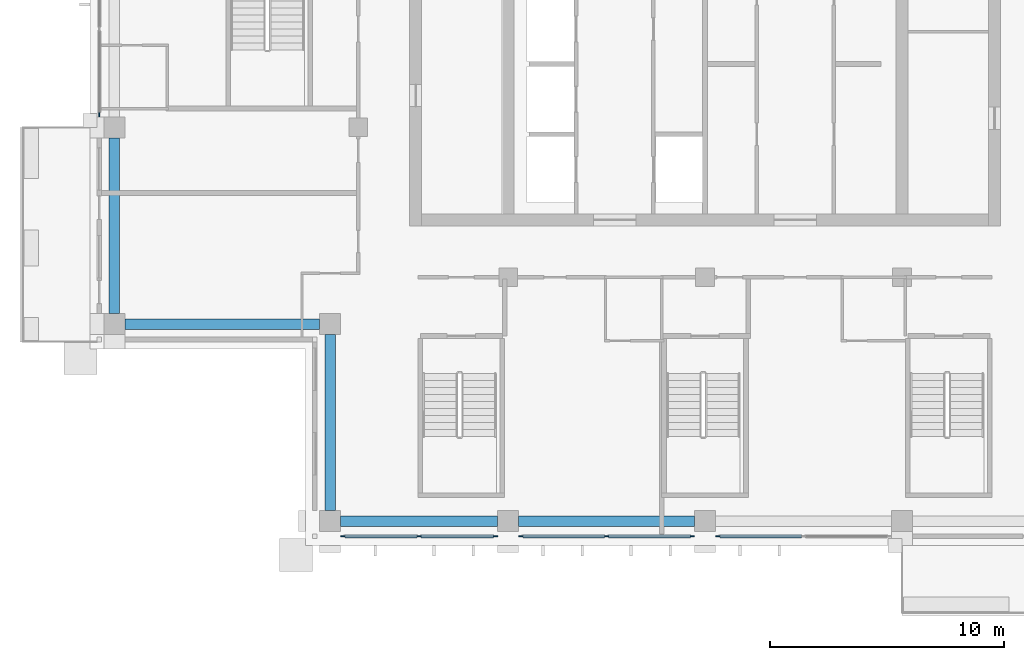
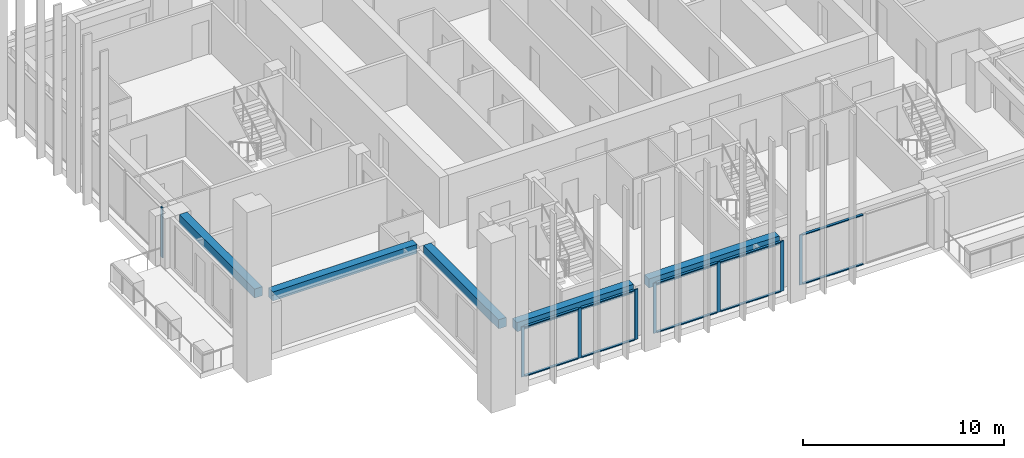
# One storey, part 2 of 20: 18 members, 5 beams, 4 elements without a shape of their own.
"""IFC4 building model written with IfcOpenShell, lengths in metres."""

from ifc_helpers import new_model, si_unit, direction, frame, origin, origin_2d, place, context, subcontext, project, spatial, rectangle, extrude, material, material_profile, profile_set, type_object, element, aggregate, save


model = new_model("IFC4")

# Units and contexts
model_context = context("Model", 3, precision=1e-05, world=origin(), true_north=direction((0.0, 1.0)))
body_context = subcontext(model_context, "Body", "Model", "MODEL_VIEW")
ifc_project = project(units=[si_unit("LENGTHUNIT", "METRE"), si_unit("AREAUNIT", "SQUARE_METRE"), si_unit("VOLUMEUNIT", "CUBIC_METRE"), si_unit("PLANEANGLEUNIT", "RADIAN"), si_unit("MASSUNIT", "GRAM", prefix="KILO")], contexts=[model_context])

# Site, building, storey
site_placement = place(None, origin())
site = spatial("IfcSite", under=ifc_project, at=site_placement, CompositionType="ELEMENT")
building_placement = place(site_placement, origin())
building = spatial("IfcBuilding", under=site, at=building_placement, Name="Vermilion Ogive Tower", CompositionType="ELEMENT")
storey_placement = place(building_placement, frame((0.0, 0.0, 223.449951171875)))
storey = spatial("IfcBuildingStorey", under=building, at=storey_placement, Name="L58", CompositionType="ELEMENT", Elevation=223.449951171875)

# Curtain wall, members
ifc_material_1 = material(Name="Low-iron laminated glazing in aluminium frame", Category="aluminium")
curtain_wall_type = type_object("IfcCurtainWallType", Name="Curtain wall CW7", PredefinedType="NOTDEFINED", material=ifc_material_1)
curtain_wall_1_placement = place(storey_placement, origin())
curtain_wall_1 = element("IfcCurtainWall", 1, at=curtain_wall_1_placement, inside=storey, type_object=curtain_wall_type, Name="Glazed skin S1", PredefinedType="NOTDEFINED")
ifc_material_2 = material(Name="Aluminium mullion", Category="aluminium")
ifc_material_profile_1 = material_profile(ifc_material_2, rectangle(XDim=0.06005859375, YDim=0.179931640625, at=origin_2d()), Name="AL 60x180")
ifc_profile_set_1 = profile_set([ifc_material_profile_1], Name="Aluminium mullion")
member_type_1 = type_object("IfcMemberType", Name="CW7 mullion 60x180", PredefinedType="MULLION", material=ifc_profile_set_1)
member_1_placement = place(storey_placement, frame((-15.4599609375, -21.64990234375, 0.0), z_axis=(0.0, 0.0, 1.0), x_axis=(0.0, 1.0, 0.0)))
member_1 = element("IfcMember", 2, at=member_1_placement, type_object=member_type_1, Name="CW7-S1 mullion 1", PredefinedType="MULLION", context=body_context, shape_type="SweptSolid", body=[
    extrude(rectangle(XDim=0.06005859375, YDim=0.179931640625, at=origin_2d()), origin(), (0.0, 0.0, 1.0), 3.050048828125),
])
member_2_placement = place(storey_placement, frame((-12.199951171875, -21.64990234375, 0.0), z_axis=(0.0, 0.0, 1.0), x_axis=(0.0, 1.0, 0.0)))
member_2 = element("IfcMember", 3, at=member_2_placement, type_object=member_type_1, Name="CW7-S1 mullion 2", PredefinedType="MULLION", context=body_context, shape_type="SweptSolid", body=[
    extrude(rectangle(XDim=0.06005859375, YDim=0.179931640625, at=origin_2d()), origin(), (0.0, 0.0, 1.0), 3.050048828125),
])
member_3_placement = place(storey_placement, frame((-8.93994140625, -21.64990234375, 0.0), z_axis=(0.0, 0.0, 1.0), x_axis=(0.0, 1.0, 0.0)))
member_3 = element("IfcMember", 4, at=member_3_placement, type_object=member_type_1, Name="CW7-S1 mullion 3", PredefinedType="MULLION", context=body_context, shape_type="SweptSolid", body=[
    extrude(rectangle(XDim=0.06005859375, YDim=0.179931640625, at=origin_2d()), origin(), (0.0, 0.0, 1.0), 3.050048828125),
])

curtain_wall_2_placement = place(storey_placement, origin())
curtain_wall_2 = element("IfcCurtainWall", 5, at=curtain_wall_2_placement, inside=storey, type_object=curtain_wall_type, Name="Glazed skin S2", PredefinedType="NOTDEFINED")
member_4_placement = place(storey_placement, frame((-7.860107421875, -21.64990234375, 0.0), z_axis=(0.0, 0.0, 1.0), x_axis=(0.0, 1.0, 0.0)))
member_4 = element("IfcMember", 6, at=member_4_placement, type_object=member_type_1, Name="CW7-S2 mullion 1", PredefinedType="MULLION", context=body_context, shape_type="SweptSolid", body=[
    extrude(rectangle(XDim=0.06005859375, YDim=0.179931640625, at=origin_2d()), origin(), (0.0, 0.0, 1.0), 3.050048828125),
])
member_5_placement = place(storey_placement, frame((-4.199951171875, -21.64990234375, 0.0), z_axis=(0.0, 0.0, 1.0), x_axis=(0.0, 1.0, 0.0)))
member_5 = element("IfcMember", 7, at=member_5_placement, type_object=member_type_1, Name="CW7-S2 mullion 2", PredefinedType="MULLION", context=body_context, shape_type="SweptSolid", body=[
    extrude(rectangle(XDim=0.06005859375, YDim=0.179931640625, at=origin_2d()), origin(), (0.0, 0.0, 1.0), 3.050048828125),
])
member_6_placement = place(storey_placement, frame((-0.5400390625, -21.64990234375, 0.0), z_axis=(0.0, 0.0, 1.0), x_axis=(0.0, 1.0, 0.0)))
member_6 = element("IfcMember", 8, at=member_6_placement, type_object=member_type_1, Name="CW7-S2 mullion 3", PredefinedType="MULLION", context=body_context, shape_type="SweptSolid", body=[
    extrude(rectangle(XDim=0.06005859375, YDim=0.179931640625, at=origin_2d()), origin(), (0.0, 0.0, 1.0), 3.050048828125),
])

# Curtain wall, member
curtain_wall_3_placement = place(storey_placement, origin())
curtain_wall_3 = element("IfcCurtainWall", 9, at=curtain_wall_3_placement, inside=storey, type_object=curtain_wall_type, Name="Glazed skin S3", PredefinedType="NOTDEFINED")
member_7_placement = place(storey_placement, frame((0.5400390625, -21.64990234375, 0.0), z_axis=(0.0, 0.0, 1.0), x_axis=(0.0, 1.0, 0.0)))
member_7 = element("IfcMember", 10, at=member_7_placement, type_object=member_type_1, Name="CW7-S3 mullion 1", PredefinedType="MULLION", context=body_context, shape_type="SweptSolid", body=[
    extrude(rectangle(XDim=0.06005859375, YDim=0.179931640625, at=origin_2d()), origin(), (0.0, 0.0, 1.0), 3.050048828125),
])

curtain_wall_4_placement = place(storey_placement, origin())
curtain_wall_4 = element("IfcCurtainWall", 11, at=curtain_wall_4_placement, inside=storey, type_object=curtain_wall_type, Name="Glazed skin W2", PredefinedType="NOTDEFINED")
member_8_placement = place(storey_placement, frame((-25.85009765625, -3.659912109375, 0.0), z_axis=(0.0, 0.0, 1.0), x_axis=(1.0, 0.0, 0.0)))
member_8 = element("IfcMember", 12, at=member_8_placement, type_object=member_type_1, Name="CW7-W2 mullion 3", PredefinedType="MULLION", context=body_context, shape_type="SweptSolid", body=[
    extrude(rectangle(XDim=0.06005859375, YDim=0.179931640625, at=origin_2d()), origin(), (0.0, 0.0, 1.0), 3.050048828125),
])
aggregate(curtain_wall_4, [member_8])

# Member
ifc_material_3 = material(Name="Aluminium transom", Category="aluminium")
ifc_material_profile_2 = material_profile(ifc_material_3, rectangle(XDim=0.139892578125, YDim=0.06005859375, at=origin_2d()), Name="AL 60x140")
ifc_profile_set_2 = profile_set([ifc_material_profile_2], Name="Aluminium transom")
member_type_2 = type_object("IfcMemberType", Name="CW7 transom 60x140", PredefinedType="USERDEFINED", material=ifc_profile_set_2)
member_9_placement = place(storey_placement, frame((-15.3701171875, -21.64990234375, 0.030029296875), z_axis=(1.0, 0.0, 0.0), x_axis=(0.0, 1.0, 0.0)))
member_9 = element("IfcMember", 13, at=member_9_placement, type_object=member_type_2, Name="CW7-S1 transom 1.1", ObjectType="TRANSOM", PredefinedType="USERDEFINED", context=body_context, shape_type="SweptSolid", body=[
    extrude(rectangle(XDim=0.139892578125, YDim=0.06005859375, at=origin_2d()), origin(), (0.0, 0.0, 1.0), 3.080078125),
])

member_10_placement = place(storey_placement, frame((-15.3701171875, -21.64990234375, 3.02001953125), z_axis=(1.0, 0.0, 0.0), x_axis=(0.0, 1.0, 0.0)))
member_10 = element("IfcMember", 14, at=member_10_placement, type_object=member_type_2, Name="CW7-S1 transom 1.2", ObjectType="TRANSOM", PredefinedType="USERDEFINED", context=body_context, shape_type="SweptSolid", body=[
    extrude(rectangle(XDim=0.139892578125, YDim=0.06005859375, at=origin_2d()), origin(), (0.0, 0.0, 1.0), 3.080078125),
])

member_11_placement = place(storey_placement, frame((-12.110107421875, -21.64990234375, 0.030029296875), z_axis=(1.0, 0.0, 0.0), x_axis=(0.0, 1.0, 0.0)))
member_11 = element("IfcMember", 15, at=member_11_placement, type_object=member_type_2, Name="CW7-S1 transom 2.1", ObjectType="TRANSOM", PredefinedType="USERDEFINED", context=body_context, shape_type="SweptSolid", body=[
    extrude(rectangle(XDim=0.139892578125, YDim=0.06005859375, at=origin_2d()), origin(), (0.0, 0.0, 1.0), 3.080078125),
])

member_12_placement = place(storey_placement, frame((-12.110107421875, -21.64990234375, 3.02001953125), z_axis=(1.0, 0.0, 0.0), x_axis=(0.0, 1.0, 0.0)))
member_12 = element("IfcMember", 16, at=member_12_placement, type_object=member_type_2, Name="CW7-S1 transom 2.2", ObjectType="TRANSOM", PredefinedType="USERDEFINED", context=body_context, shape_type="SweptSolid", body=[
    extrude(rectangle(XDim=0.139892578125, YDim=0.06005859375, at=origin_2d()), origin(), (0.0, 0.0, 1.0), 3.080078125),
])

aggregate(curtain_wall_1, [member_1, member_2, member_3, member_9, member_10, member_11, member_12])

member_13_placement = place(storey_placement, frame((-7.77001953125, -21.64990234375, 0.030029296875), z_axis=(1.0, 0.0, 0.0), x_axis=(0.0, 1.0, 0.0)))
member_13 = element("IfcMember", 17, at=member_13_placement, type_object=member_type_2, Name="CW7-S2 transom 1.1", ObjectType="TRANSOM", PredefinedType="USERDEFINED", context=body_context, shape_type="SweptSolid", body=[
    extrude(rectangle(XDim=0.139892578125, YDim=0.06005859375, at=origin_2d()), origin(), (0.0, 0.0, 1.0), 3.47998046875),
])

member_14_placement = place(storey_placement, frame((-7.77001953125, -21.64990234375, 3.02001953125), z_axis=(1.0, 0.0, 0.0), x_axis=(0.0, 1.0, 0.0)))
member_14 = element("IfcMember", 18, at=member_14_placement, type_object=member_type_2, Name="CW7-S2 transom 1.2", ObjectType="TRANSOM", PredefinedType="USERDEFINED", context=body_context, shape_type="SweptSolid", body=[
    extrude(rectangle(XDim=0.139892578125, YDim=0.06005859375, at=origin_2d()), origin(), (0.0, 0.0, 1.0), 3.47998046875),
])

member_15_placement = place(storey_placement, frame((-4.110107421875, -21.64990234375, 0.030029296875), z_axis=(1.0, 0.0, 0.0), x_axis=(0.0, 1.0, 0.0)))
member_15 = element("IfcMember", 19, at=member_15_placement, type_object=member_type_2, Name="CW7-S2 transom 2.1", ObjectType="TRANSOM", PredefinedType="USERDEFINED", context=body_context, shape_type="SweptSolid", body=[
    extrude(rectangle(XDim=0.139892578125, YDim=0.06005859375, at=origin_2d()), origin(), (0.0, 0.0, 1.0), 3.480224609375),
])

member_16_placement = place(storey_placement, frame((-4.110107421875, -21.64990234375, 3.02001953125), z_axis=(1.0, 0.0, 0.0), x_axis=(0.0, 1.0, 0.0)))
member_16 = element("IfcMember", 20, at=member_16_placement, type_object=member_type_2, Name="CW7-S2 transom 2.2", ObjectType="TRANSOM", PredefinedType="USERDEFINED", context=body_context, shape_type="SweptSolid", body=[
    extrude(rectangle(XDim=0.139892578125, YDim=0.06005859375, at=origin_2d()), origin(), (0.0, 0.0, 1.0), 3.480224609375),
])

aggregate(curtain_wall_2, [member_4, member_5, member_6, member_13, member_14, member_15, member_16])

member_17_placement = place(storey_placement, frame((0.6298828125, -21.64990234375, 0.030029296875), z_axis=(1.0, 0.0, 0.0), x_axis=(0.0, 1.0, 0.0)))
member_17 = element("IfcMember", 21, at=member_17_placement, type_object=member_type_2, Name="CW7-S3 transom 1.1", ObjectType="TRANSOM", PredefinedType="USERDEFINED", context=body_context, shape_type="SweptSolid", body=[
    extrude(rectangle(XDim=0.139892578125, YDim=0.06005859375, at=origin_2d()), origin(), (0.0, 0.0, 1.0), 3.480224609375),
])

member_18_placement = place(storey_placement, frame((0.6298828125, -21.64990234375, 3.02001953125), z_axis=(1.0, 0.0, 0.0), x_axis=(0.0, 1.0, 0.0)))
member_18 = element("IfcMember", 22, at=member_18_placement, type_object=member_type_2, Name="CW7-S3 transom 1.2", ObjectType="TRANSOM", PredefinedType="USERDEFINED", context=body_context, shape_type="SweptSolid", body=[
    extrude(rectangle(XDim=0.139892578125, YDim=0.06005859375, at=origin_2d()), origin(), (0.0, 0.0, 1.0), 3.480224609375),
])

aggregate(curtain_wall_3, [member_7, member_17, member_18])

# Beams
ifc_material_4 = material(Name="Concrete B45", Category="concrete")
ifc_material_profile_3 = material_profile(ifc_material_4, rectangle(XDim=0.449951171875, YDim=0.550048828125, at=origin_2d()), Name="450 x 550")
ifc_profile_set_3 = profile_set([ifc_material_profile_3], Name="Concrete B45")
beam_type = type_object("IfcBeamType", Name="Edge beam 450 x 550 B45", PredefinedType="BEAM", material=ifc_profile_set_3)
beam_1_placement = place(storey_placement, frame((-15.550048828125, -21.0, 2.775146484375), z_axis=(1.0, 0.0, 0.0), x_axis=(0.0, 1.0, 0.0)))
element("IfcBeam", 23, at=beam_1_placement, inside=storey, type_object=beam_type, Name="L58-EB-1", PredefinedType="BEAM", context=body_context, shape_type="SweptSolid", body=[
    extrude(rectangle(XDim=0.449951171875, YDim=0.550048828125, at=origin_2d()), origin(), (0.0, 0.0, 1.0), 6.699951171875),
])
for number, where, z_axis, x_axis, name in (
    (24, (-7.949951171875, -21.0, 2.775146484375), (1.0, 0.0, 0.0), (0.0, 1.0, 0.0), "L58-EB-2"),
    (25, (-25.199951171875, -4.64990234375, 2.775146484375), (0.0, -1.0, 0.0), (1.0, 0.0, 0.0), "L58-EB-16"),
):
    element("IfcBeam", number, at=place(storey_placement, frame(where, z_axis=z_axis, x_axis=x_axis)), inside=storey, type_object=beam_type, Name=name, PredefinedType="BEAM", context=body_context, shape_type="SweptSolid", body=[
        extrude(rectangle(XDim=0.449951171875, YDim=0.550048828125, at=origin_2d()), origin(), (0.0, 0.0, 1.0), 7.5),
    ])
beam_2_placement = place(storey_placement, frame((-24.75, -12.60009765625, 2.775146484375), z_axis=(1.0, 0.0, 0.0), x_axis=(0.0, 1.0, 0.0)))
element("IfcBeam", 26, at=beam_2_placement, inside=storey, type_object=beam_type, Name="L58-EB-17", PredefinedType="BEAM", context=body_context, shape_type="SweptSolid", body=[
    extrude(rectangle(XDim=0.449951171875, YDim=0.550048828125, at=origin_2d()), origin(), (0.0, 0.0, 1.0), 8.300048828125),
])
beam_3_placement = place(storey_placement, frame((-16.0, -13.050048828125, 2.775146484375), z_axis=(0.0, -1.0, 0.0), x_axis=(1.0, 0.0, 0.0)))
element("IfcBeam", 27, at=beam_3_placement, inside=storey, type_object=beam_type, Name="L58-EB-18", PredefinedType="BEAM", context=body_context, shape_type="SweptSolid", body=[
    extrude(rectangle(XDim=0.449951171875, YDim=0.550048828125, at=origin_2d()), origin(), (0.0, 0.0, 1.0), 7.5),
])

save(model, "model.ifc")
